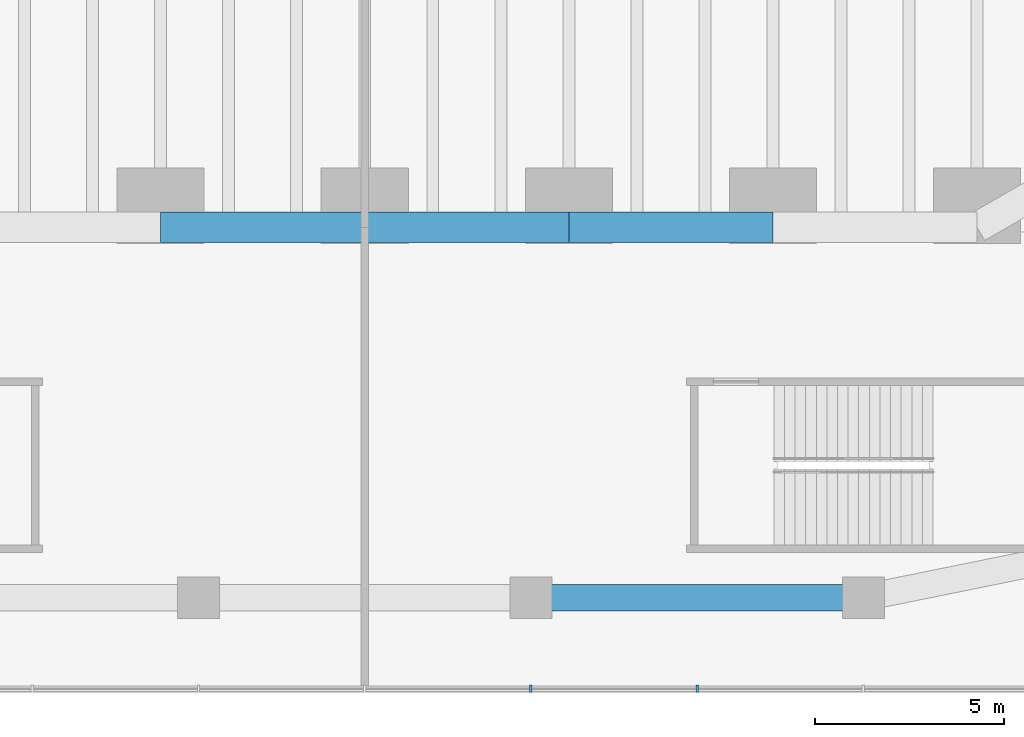
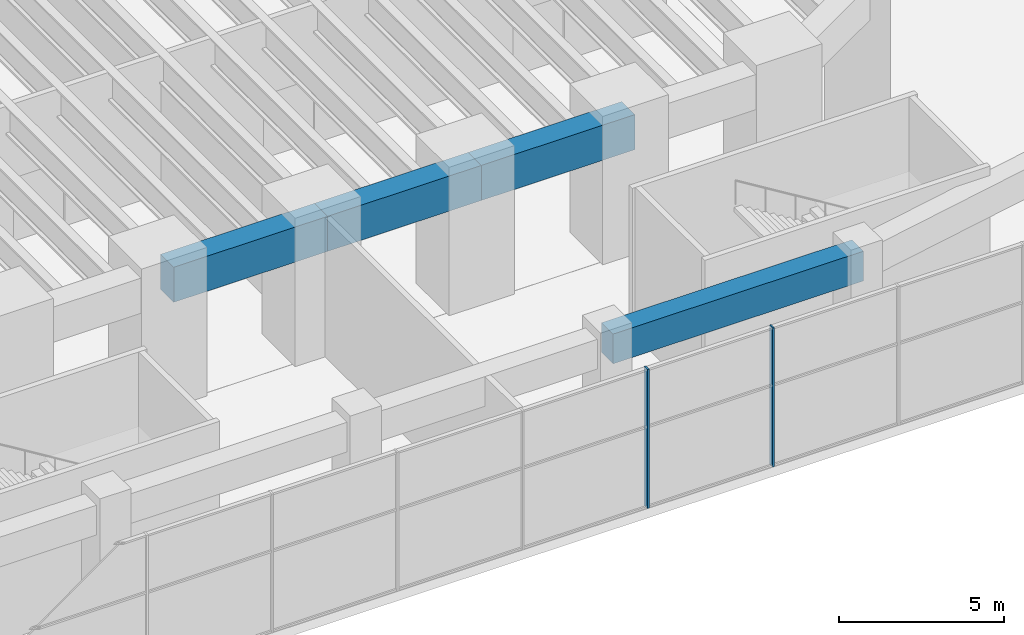
# One storey, part 7 of 31: 4 beams, 2 members, 1 element without a shape of its own.
"""IFC4 building model written with IfcOpenShell, lengths in metres."""

from ifc_helpers import new_model, si_unit, direction, frame, origin, origin_2d, place, context, subcontext, project, spatial, rectangle, extrude, material, material_profile, profile_set, type_object, element, aggregate, save


model = new_model("IFC4")

# Units and contexts
model_context = context("Model", 3, precision=1e-05, world=origin(), true_north=direction((0.0, 1.0)))
body_context = subcontext(model_context, "Body", "Model", "MODEL_VIEW")
ifc_project = project(units=[si_unit("LENGTHUNIT", "METRE"), si_unit("AREAUNIT", "SQUARE_METRE"), si_unit("VOLUMEUNIT", "CUBIC_METRE"), si_unit("PLANEANGLEUNIT", "RADIAN"), si_unit("MASSUNIT", "GRAM", prefix="KILO")], contexts=[model_context])

# Site, building, storey
site_placement = place(None, origin())
site = spatial("IfcSite", under=ifc_project, at=site_placement, CompositionType="ELEMENT")
building_placement = place(site_placement, origin())
building = spatial("IfcBuilding", under=site, at=building_placement, Name="Tarfa Lantern Tower", CompositionType="ELEMENT")
storey_placement = place(building_placement, frame((0.0, 0.0, 13.0)))
storey = spatial("IfcBuildingStorey", under=building, at=storey_placement, Name="L02", CompositionType="ELEMENT", Elevation=13.0)

# Curtain wall, members
ifc_material_1 = material(Name="Aluminium framed curtain wall", Category="aluminium")
curtain_wall_type = type_object("IfcCurtainWallType", Name="CW7 PODIUM GLAZING 5150", PredefinedType="USERDEFINED", material=ifc_material_1)
curtain_wall_placement = place(storey_placement, origin())
curtain_wall = element("IfcCurtainWall", 1, at=curtain_wall_placement, inside=storey, type_object=curtain_wall_type, Name="CW7 S L02", ObjectType="CURTAIN WALL", PredefinedType="USERDEFINED")
ifc_material_2 = material(Name="Aluminium mullion", Category="aluminium")
ifc_material_profile_1 = material_profile(ifc_material_2, rectangle(XDim=0.06494140625, YDim=0.199951171875, at=origin_2d()), Name="AL MULLION 65x200")
ifc_profile_set_1 = profile_set([ifc_material_profile_1], Name="Aluminium mullion")
member_type = type_object("IfcMemberType", Name="CWM1 MULLION 65x200", PredefinedType="MULLION", material=ifc_profile_set_1)
member_1_placement = place(storey_placement, frame((4.387939453125, -45.89990234375, 0.0), z_axis=(0.0, 0.0, 1.0), x_axis=(1.0, 0.0, 0.0)))
member_1 = element("IfcMember", 2, at=member_1_placement, type_object=member_type, Name="CW7 mullion 7", PredefinedType="MULLION", context=body_context, shape_type="SweptSolid", body=[
    extrude(rectangle(XDim=0.06494140625, YDim=0.199951171875, at=origin_2d()), origin(), (0.0, 0.0, 1.0), 5.14990234375),
])
member_2_placement = place(storey_placement, frame((8.775634765625, -45.89990234375, 0.0), z_axis=(0.0, 0.0, 1.0), x_axis=(1.0, 0.0, 0.0)))
member_2 = element("IfcMember", 3, at=member_2_placement, type_object=member_type, Name="CW7 mullion 8", PredefinedType="MULLION", context=body_context, shape_type="SweptSolid", body=[
    extrude(rectangle(XDim=0.06494140625, YDim=0.199951171875, at=origin_2d()), origin(), (0.0, 0.0, 1.0), 5.14990234375),
])
aggregate(curtain_wall, [member_1, member_2])

# Beams
ifc_material_3 = material(Name="Concrete C80/95", Category="concrete")
ifc_material_profile_2 = material_profile(ifc_material_3, rectangle(XDim=0.800048828125, YDim=1.300048828125, at=origin_2d()), Name="RC 800x1300")
ifc_profile_set_2 = profile_set([ifc_material_profile_2], Name="Concrete C80/95")
beam_type_1 = type_object("IfcBeamType", Name="EB1 RC 800x1300", PredefinedType="SPANDREL", material=ifc_profile_set_2)
for number, where, z_axis, x_axis, name in (
    (4, (-5.388671875, -33.719970703125, 4.5), (1.0, 0.0, 0.0), (0.0, 1.0, 0.0), "Edge beam S2"),
    (5, (0.0, -33.719970703125, 4.5), (1.0, 0.0, 0.0), (0.0, 1.0, 0.0), "Edge beam S3"),
):
    element("IfcBeam", number, at=place(storey_placement, frame(where, z_axis=z_axis, x_axis=x_axis)), inside=storey, type_object=beam_type_1, Name=name, PredefinedType="SPANDREL", context=body_context, shape_type="SweptSolid", body=[
        extrude(rectangle(XDim=0.800048828125, YDim=1.300048828125, at=origin_2d()), origin(), (0.0, 0.0, 1.0), 5.388671875),
    ])
beam_1_placement = place(storey_placement, frame((5.388671875, -33.719970703125, 4.5), z_axis=(1.0, 0.0, 0.0), x_axis=(0.0, 1.0, 0.0)))
element("IfcBeam", 6, at=beam_1_placement, inside=storey, type_object=beam_type_1, Name="Edge beam S4", PredefinedType="SPANDREL", context=body_context, shape_type="SweptSolid", body=[
    extrude(rectangle(XDim=0.800048828125, YDim=1.300048828125, at=origin_2d()), origin(), (0.0, 0.0, 1.0), 5.388427734375),
])
ifc_material_profile_3 = material_profile(ifc_material_3, rectangle(XDim=0.699951171875, YDim=1.10009765625, at=origin_2d()), Name="RC 700x1100")
ifc_profile_set_3 = profile_set([ifc_material_profile_3], Name="Concrete C80/95")
beam_type_2 = type_object("IfcBeamType", Name="PB1 RC 700x1100", PredefinedType="BEAM", material=ifc_profile_set_3)
beam_2_placement = place(storey_placement, frame((4.387939453125, -43.5, 4.60009765625), z_axis=(1.0, 0.0, 0.0), x_axis=(0.0, 1.0, 0.0)))
element("IfcBeam", 7, at=beam_2_placement, inside=storey, type_object=beam_type_2, Name="Podium ring beam S3", PredefinedType="BEAM", context=body_context, shape_type="SweptSolid", body=[
    extrude(rectangle(XDim=0.699951171875, YDim=1.10009765625, at=origin_2d()), origin(), (0.0, 0.0, 1.0), 8.775634765625),
])

save(model, "model.ifc")
